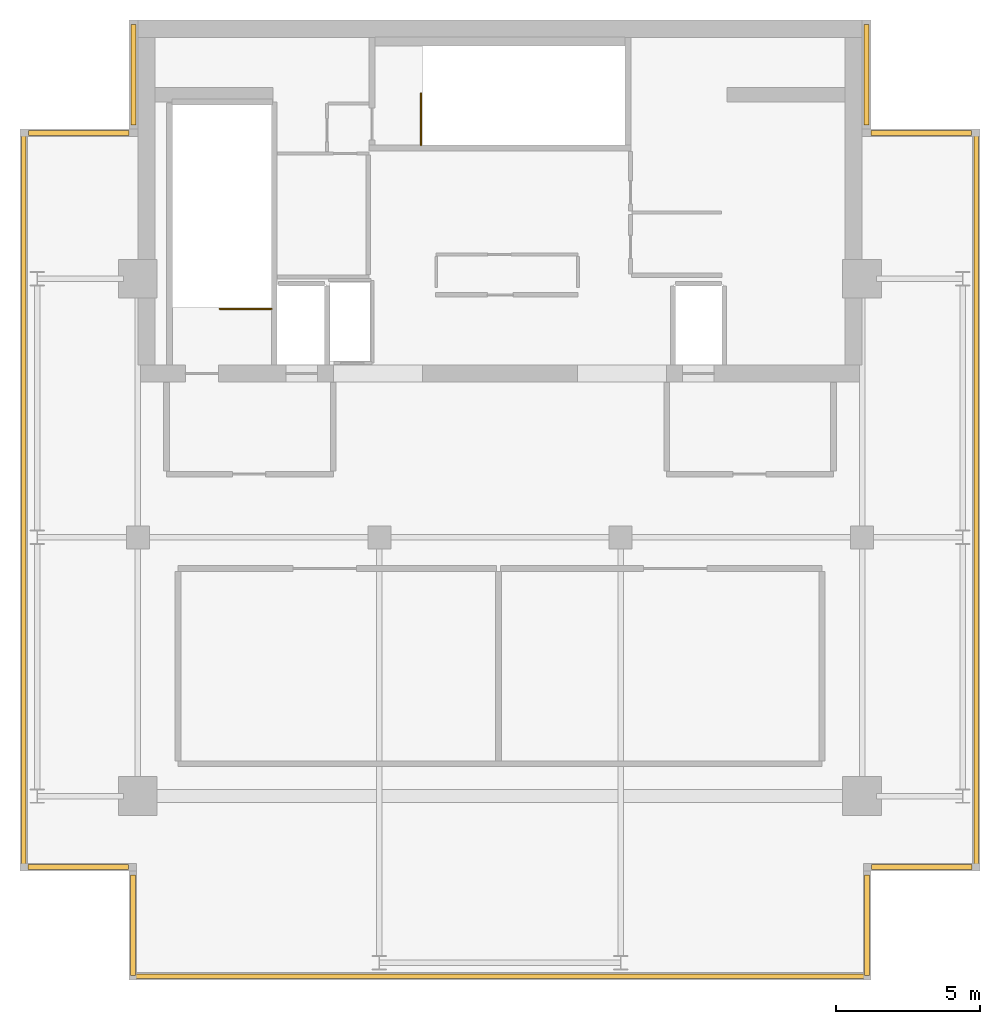
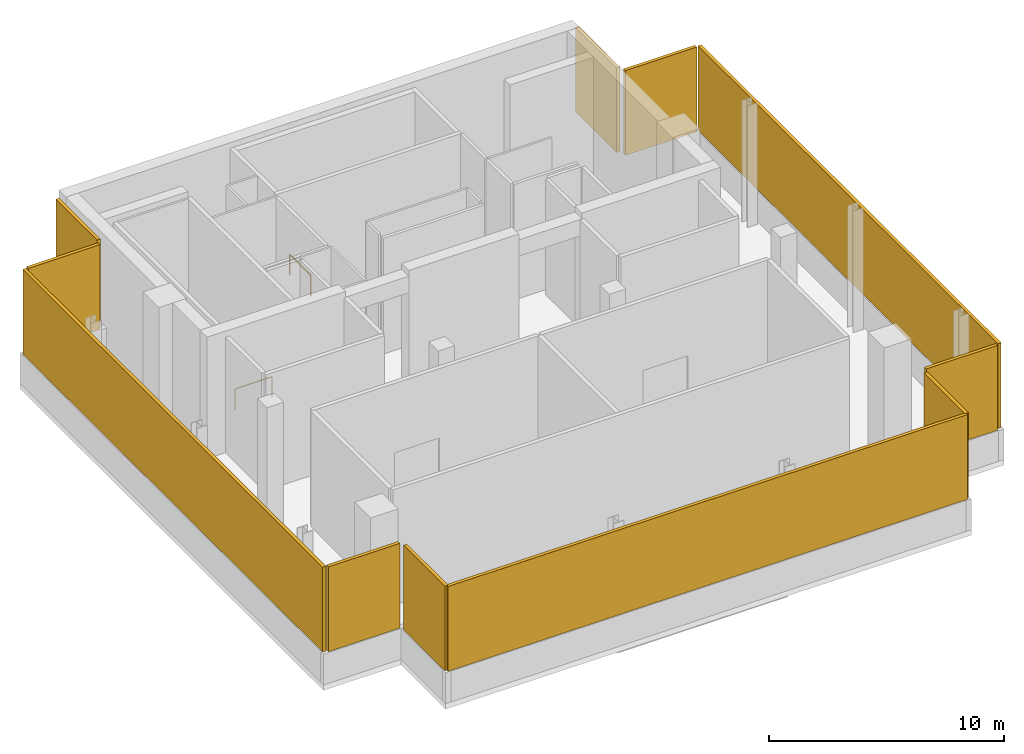
# One storey, part 4 of 4: 11 shading devices, 2 railings.
"""IFC4 building model written with IfcOpenShell, lengths in metres."""

import ifcopenshell
import ifcopenshell.guid

model = None  # the IFC model being written
_history = None  # IfcOwnerHistory: only IFC2X3 demands one
_inside = {}  # id of a spatial element -> (the spatial element, [elements in it])
_under = {}  # id of a project, library or spatial element -> (it, [spatial elements below it])
_declared = {}  # id of a project -> (the project, [libraries it declares])
_typed = {}  # id of a type object -> (the type object, [elements of that type])
_made_of = {}  # id of a material, layer set ... -> (it, [elements and type objects made of it])


def new_model(schema):
    """Start an empty IFC model of exactly this schema.

    Asked for "IFC4X3", IfcOpenShell would pick the latest addendum, in which some entities
    have other attributes; the version numbers below select the first issue.
    IFC2X3 requires an IfcOwnerHistory on every rooted entity: one is made here for all.
    """
    global model, _history
    if schema == "IFC4X3":
        model = ifcopenshell.file(schema_version=(4, 3, 0, 0))
    else:
        model = ifcopenshell.file(schema=schema)
    _inside.clear()
    _under.clear()
    _declared.clear()
    _typed.clear()
    _made_of.clear()
    _history = None
    if model.schema == "IFC2X3":
        org = make("IfcOrganization", Name="unknown")
        user = make(
            "IfcPersonAndOrganization",
            ThePerson=make("IfcPerson", FamilyName="unknown"),
            TheOrganization=org,
        )
        app = make(
            "IfcApplication",
            ApplicationDeveloper=org,
            Version="unknown",
            ApplicationFullName="unknown",
            ApplicationIdentifier="unknown",
        )
        _history = make(
            "IfcOwnerHistory",
            OwningUser=user,
            OwningApplication=app,
            ChangeAction="ADDED",
            CreationDate=0,
        )
    return model


def make(cls, **values):
    """One entity of the class cls with the attributes given. An attribute that is None is left unset."""
    return model.create_entity(
        cls, **{name: value for name, value in values.items() if value is not None}
    )


def rooted(cls, **values):
    """An entity with a GlobalId (a new one), such as an element, a storey or a relation."""
    return make(cls, GlobalId=ifcopenshell.guid.new(), OwnerHistory=_history, **values)


def si_unit(unit_type, name, prefix=None):
    """IfcSIUnit, for example si_unit("LENGTHUNIT", "METRE", prefix="MILLI")."""
    return make("IfcSIUnit", UnitType=unit_type, Prefix=prefix, Name=name)


def assignment(units):
    """IfcUnitAssignment: the units of a project."""
    return None if units is None else make("IfcUnitAssignment", Units=units)


def point(xyz):
    """IfcCartesianPoint."""
    return None if xyz is None else make("IfcCartesianPoint", Coordinates=xyz)


def direction(xyz):
    """IfcDirection."""
    return None if xyz is None else make("IfcDirection", DirectionRatios=xyz)


def frame(location, z_axis=None, x_axis=None):
    """IfcAxis2Placement3D, a coordinate frame: its origin and axes. An axis left out is left unset."""
    return make(
        "IfcAxis2Placement3D",
        Location=point(location),
        Axis=direction(z_axis),
        RefDirection=direction(x_axis),
    )


def frame_2d(location, x_axis=None):
    """IfcAxis2Placement2D, a coordinate frame in the plane: its origin and x axis."""
    return make(
        "IfcAxis2Placement2D", Location=point(location), RefDirection=direction(x_axis)
    )


def origin():
    """The frame at (0, 0, 0) with its axes left unset."""
    return frame((0.0, 0.0, 0.0))


def origin_2d():
    """The frame at (0, 0) in the plane with its x axis left unset."""
    return frame_2d((0.0, 0.0))


def place(relative_to, where):
    """IfcLocalPlacement: puts the frame where relative to a parent placement (None: the world)."""
    return make(
        "IfcLocalPlacement", PlacementRelTo=relative_to, RelativePlacement=where
    )


def context(
    kind, dimensions, precision=None, world=None, true_north=None, identifier=None
):
    """IfcGeometricRepresentationContext, for example the 3D "Model" context."""
    return make(
        "IfcGeometricRepresentationContext",
        ContextIdentifier=identifier,
        ContextType=kind,
        CoordinateSpaceDimension=dimensions,
        Precision=precision,
        WorldCoordinateSystem=world,
        TrueNorth=true_north,
    )


def subcontext(parent, identifier, kind, view, scale=None):
    """IfcGeometricRepresentationSubContext, for example "Body" below "Model"."""
    return make(
        "IfcGeometricRepresentationSubContext",
        ContextIdentifier=identifier,
        ContextType=kind,
        ParentContext=parent,
        TargetScale=scale,
        TargetView=view,
    )


def project(units=None, contexts=None):
    """IfcProject with its units and contexts."""
    return rooted(
        "IfcProject",
        Name="project",
        RepresentationContexts=contexts,
        UnitsInContext=assignment(units),
    )


def spatial(cls, under=None, at=None, **own):
    """A site, building, storey or space (cls), placed at a placement, below another one or the project."""
    s = rooted(cls, ObjectPlacement=at, **own)
    if under is not None:
        _under.setdefault(under.id(), (under, []))[1].append(s)
    return s


def profile(cls, at=None, kind="AREA", **sizes):
    """A parametric profile (cls). Its sizes go by their IFC names, for example OverallWidth=200.0."""
    return make(cls, ProfileType=kind, Position=at, **sizes)


def rectangle(**sizes):
    """IfcRectangleProfileDef."""
    return profile("IfcRectangleProfileDef", **sizes)


def circle(**sizes):
    """IfcCircleProfileDef."""
    return profile("IfcCircleProfileDef", **sizes)


def extrude(swept, where, along, depth):
    """IfcExtrudedAreaSolid: the profile swept, set in the frame where, extruded along a direction by depth."""
    return make(
        "IfcExtrudedAreaSolid",
        SweptArea=swept,
        Position=where,
        ExtrudedDirection=direction(along),
        Depth=depth,
    )


def shape(context_of_items, identifier, shape_type, items):
    """IfcShapeRepresentation: the items that make up one representation, for example the "Body"."""
    return make(
        "IfcShapeRepresentation",
        ContextOfItems=context_of_items,
        RepresentationIdentifier=identifier,
        RepresentationType=shape_type,
        Items=items,
    )


def material(Name=None, Category=None):
    """IfcMaterial."""
    return make("IfcMaterial", Name=Name, Category=Category)


def layer(
    of_material, thickness, ventilated=None, Name=None, Category=None, Priority=None
):
    """IfcMaterialLayer: one layer of a wall or slab, of a material (None: an air gap)."""
    return make(
        "IfcMaterialLayer",
        Material=of_material,
        LayerThickness=thickness,
        IsVentilated=ventilated,
        Name=Name,
        Category=Category,
        Priority=Priority,
    )


def layer_set(layers, Name=None):
    """IfcMaterialLayerSet."""
    return make("IfcMaterialLayerSet", MaterialLayers=layers, LayerSetName=Name)


def made_of(thing, what):
    """Note that an element or type object is made of a material, layer set ...; save() writes the relation."""
    if what is not None:
        _made_of.setdefault(what.id(), (what, []))[1].append(thing)
    return thing


def type_object(cls, material=None, **own):
    """A type object (cls), such as IfcWallType, which elements share."""
    return made_of(rooted(cls, **own), material)


def element(
    cls,
    number,
    at=None,
    inside=None,
    cuts=None,
    type_object=None,
    material=None,
    context=None,
    identifier="Body",
    shape_type=None,
    held_by="IfcProductDefinitionShape",
    body=None,
    shapes=None,
    **own,
):
    """One element of the class cls, such as IfcWall. Its Tag is "e" and its number.

    at: its placement. inside: the storey or other place that contains it. cuts: it is an
    opening in that element (IfcRelVoidsElement). A single representation is given by context,
    identifier, shape_type and body (its items); several are given by shapes. held_by: the class
    of the entity that holds the representations. save() writes the other relations.
    """
    e = rooted(cls, Tag="e%d" % number, ObjectPlacement=at, **own)
    if body is not None:
        shapes = [shape(context, identifier, shape_type, body)]
    if shapes is not None:
        e.Representation = make(held_by, Representations=shapes)
    if inside is not None:
        _inside.setdefault(inside.id(), (inside, []))[1].append(e)
    if cuts is not None:
        rooted(
            "IfcRelVoidsElement", RelatingBuildingElement=cuts, RelatedOpeningElement=e
        )
    if type_object is not None:
        _typed.setdefault(type_object.id(), (type_object, []))[1].append(e)
    return made_of(e, material)


def aggregate(whole, parts):
    """IfcRelAggregates: a whole, such as a stair, and the parts it consists of."""
    return rooted("IfcRelAggregates", RelatingObject=whole, RelatedObjects=parts)


def save(model, path):
    """Write the relations noted so far, then the file.

    IfcRelAggregates (storeys below a building ...), IfcRelContainedInSpatialStructure (elements
    in a storey), IfcRelDefinesByType, IfcRelAssociatesMaterial and IfcRelDeclares: one each for
    every whole, place, type object, material and project.
    """
    for whole, parts in _under.values():
        aggregate(whole, parts)
    for where, things in _inside.values():
        rooted(
            "IfcRelContainedInSpatialStructure",
            RelatedElements=things,
            RelatingStructure=where,
        )
    for kind, things in _typed.values():
        rooted("IfcRelDefinesByType", RelatedObjects=things, RelatingType=kind)
    for what, things in _made_of.values():
        rooted("IfcRelAssociatesMaterial", RelatedObjects=things, RelatingMaterial=what)
    for by, libraries in _declared.values():
        rooted("IfcRelDeclares", RelatingContext=by, RelatedDefinitions=libraries)
    model.write(path)


model = new_model("IFC4")

# Units and contexts
model_context = context("Model", 3, precision=1e-05, world=origin(), true_north=direction((0.0, 1.0)))
body_context = subcontext(model_context, "Body", "Model", "MODEL_VIEW")
ifc_project = project(units=[si_unit("LENGTHUNIT", "METRE"), si_unit("AREAUNIT", "SQUARE_METRE"), si_unit("VOLUMEUNIT", "CUBIC_METRE"), si_unit("PLANEANGLEUNIT", "RADIAN"), si_unit("MASSUNIT", "GRAM", prefix="KILO")], contexts=[model_context])

# Site, building, storey
site_placement = place(None, origin())
site = spatial("IfcSite", under=ifc_project, at=site_placement, CompositionType="ELEMENT")
building_placement = place(site_placement, origin())
building = spatial("IfcBuilding", under=site, at=building_placement, Name="Maruvema Waterfront Hotel and Observation Tower", CompositionType="ELEMENT")
storey_placement = place(building_placement, frame((0.0, 0.0, 369.949951171875)))
storey = spatial("IfcBuildingStorey", under=building, at=storey_placement, Name="L90", CompositionType="ELEMENT", Elevation=369.949951171875)

# Shading devices
ifc_material_1 = material(Name="Anodised architectural bronze aluminium", Category="aluminium")
ifc_layer = layer(ifc_material_1, 0.14990234375, Name="Acoustic Weatherproof Plant Louvre Panel 150 mm")
ifc_layer_set = layer_set([ifc_layer], Name="Anodised architectural bronze aluminium")
shading_device_type = type_object("IfcShadingDeviceType", Name="Acoustic Weatherproof Plant Louvre Panel 150 mm", PredefinedType="JALOUSIE", material=ifc_layer_set)
shading_device_1_placement = place(storey_placement, frame((37.800048828125, 20.72998046875, 1.60009765625), z_axis=(0.0, 0.0, 1.0), x_axis=(1.0, 0.0, 0.0)))
element("IfcShadingDevice", 1, at=shading_device_1_placement, inside=storey, type_object=shading_device_type, Name="L90 Mechanical Acoustic Louvre 01", PredefinedType="JALOUSIE", context=body_context, shape_type="SweptSolid", body=[
    extrude(rectangle(XDim=25.5, YDim=0.159912109375, at=origin_2d()), origin(), (0.0, 0.0, 1.0), 4.39990234375),
])
for number, where, z_axis, x_axis, name in (
    (2, (50.570068359375, 22.5, 1.60009765625), (0.0, 0.0, 1.0), (0.0, 1.0, 0.0), "L90 Mechanical Acoustic Louvre 02"),
    (3, (52.469970703125, 24.530029296875, 1.60009765625), (0.0, 0.0, 1.0), (1.0, 0.0, 0.0), "L90 Mechanical Acoustic Louvre 03"),
):
    element("IfcShadingDevice", number, at=place(storey_placement, frame(where, z_axis=z_axis, x_axis=x_axis)), inside=storey, type_object=shading_device_type, Name=name, PredefinedType="JALOUSIE", context=body_context, shape_type="SweptSolid", body=[
        extrude(rectangle(XDim=3.5, YDim=0.159912109375, at=origin_2d()), origin(), (0.0, 0.0, 1.0), 4.39990234375),
    ])
shading_device_2_placement = place(storey_placement, frame((54.3701171875, 37.300048828125, 1.60009765625), z_axis=(0.0, 0.0, 1.0), x_axis=(0.0, 1.0, 0.0)))
element("IfcShadingDevice", 4, at=shading_device_2_placement, inside=storey, type_object=shading_device_type, Name="L90 Mechanical Acoustic Louvre 04", PredefinedType="JALOUSIE", context=body_context, shape_type="SweptSolid", body=[
    extrude(rectangle(XDim=25.5, YDim=0.159912109375, at=origin_2d()), origin(), (0.0, 0.0, 1.0), 4.39990234375),
])
for number, where, z_axis, x_axis, name in (
    (5, (52.449951171875, 50.070068359375, 1.60009765625), (0.0, 0.0, 1.0), (-1.0, 0.0, 0.0), "L90 Mechanical Acoustic Louvre 05"),
    (6, (50.550048828125, 52.10009765625, 1.60009765625), (0.0, 0.0, 1.0), (0.0, 1.0, 0.0), "L90 Mechanical Acoustic Louvre 06"),
    (7, (25.050048828125, 52.10009765625, 1.60009765625), (0.0, 0.0, 1.0), (0.0, -1.0, 0.0), "L90 Mechanical Acoustic Louvre 08"),
    (8, (23.14990234375, 50.070068359375, 1.60009765625), (0.0, 0.0, 1.0), (-1.0, 0.0, 0.0), "L90 Mechanical Acoustic Louvre 09"),
):
    element("IfcShadingDevice", number, at=place(storey_placement, frame(where, z_axis=z_axis, x_axis=x_axis)), inside=storey, type_object=shading_device_type, Name=name, PredefinedType="JALOUSIE", context=body_context, shape_type="SweptSolid", body=[
        extrude(rectangle(XDim=3.5, YDim=0.159912109375, at=origin_2d()), origin(), (0.0, 0.0, 1.0), 4.39990234375),
    ])
shading_device_3_placement = place(storey_placement, frame((21.22998046875, 37.300048828125, 1.60009765625), z_axis=(0.0, 0.0, 1.0), x_axis=(0.0, -1.0, 0.0)))
element("IfcShadingDevice", 9, at=shading_device_3_placement, inside=storey, type_object=shading_device_type, Name="L90 Mechanical Acoustic Louvre 10", PredefinedType="JALOUSIE", context=body_context, shape_type="SweptSolid", body=[
    extrude(rectangle(XDim=25.5, YDim=0.159912109375, at=origin_2d()), origin(), (0.0, 0.0, 1.0), 4.39990234375),
])
for number, where, z_axis, x_axis, name in (
    (10, (23.1298828125, 24.530029296875, 1.60009765625), (0.0, 0.0, 1.0), (1.0, 0.0, 0.0), "L90 Mechanical Acoustic Louvre 11"),
    (11, (25.030029296875, 22.5, 1.60009765625), (0.0, 0.0, 1.0), (0.0, -1.0, 0.0), "L90 Mechanical Acoustic Louvre 12"),
):
    element("IfcShadingDevice", number, at=place(storey_placement, frame(where, z_axis=z_axis, x_axis=x_axis)), inside=storey, type_object=shading_device_type, Name=name, PredefinedType="JALOUSIE", context=body_context, shape_type="SweptSolid", body=[
        extrude(rectangle(XDim=3.5, YDim=0.159912109375, at=origin_2d()), origin(), (0.0, 0.0, 1.0), 4.39990234375),
    ])

# Railings
ifc_material_2 = material(Name="Brushed stainless steel Grade 316", Category="steel")
railing_type = type_object("IfcRailingType", Name="Ramp and Terrace Guard Balustrade 1100 mm", PredefinedType="BALUSTRADE", material=ifc_material_2)
railing_1_placement = place(storey_placement, frame((29.85009765625, 43.949951171875, 0.0)))
element("IfcRailing", 12, at=railing_1_placement, inside=storey, type_object=railing_type, Name="L90 ST-01 top well guard 1", PredefinedType="BALUSTRADE", context=body_context, shape_type="SweptSolid", body=[
    extrude(circle(Radius=0.02392578125, at=origin_2d()), frame((0.0, 0.0, 1.076171875), z_axis=(-1.0, 0.0, 0.0), x_axis=(0.0, -1.0, 0.0)), (0.0, 0.0, 1.0), 1.800048828125),
    extrude(circle(Radius=0.02099609375, at=origin_2d()), origin(), (0.0, 0.0, 1.0), 1.052001953125),
    extrude(circle(Radius=0.02099609375, at=origin_2d()), frame((-1.800048828125, 0.0, 0.0)), (0.0, 0.0, 1.0), 1.052001953125),
])
railing_2_placement = place(storey_placement, frame((35.050048828125, 49.64990234375, 0.0)))
element("IfcRailing", 13, at=railing_2_placement, inside=storey, type_object=railing_type, Name="L90 ST-02 top well guard 1", PredefinedType="BALUSTRADE", context=body_context, shape_type="SweptSolid", body=[
    extrude(circle(Radius=0.02392578125, at=origin_2d()), frame((0.0, 0.0, 1.076171875), z_axis=(0.0, 1.0, 0.0), x_axis=(-1.0, 0.0, 0.0)), (0.0, 0.0, 1.0), 1.800048828125),
    extrude(circle(Radius=0.02099609375, at=origin_2d()), origin(), (0.0, 0.0, 1.0), 1.052001953125),
    extrude(circle(Radius=0.02099609375, at=origin_2d()), frame((0.0, 1.800048828125, 0.0)), (0.0, 0.0, 1.0), 1.052001953125),
])

save(model, "model.ifc")
